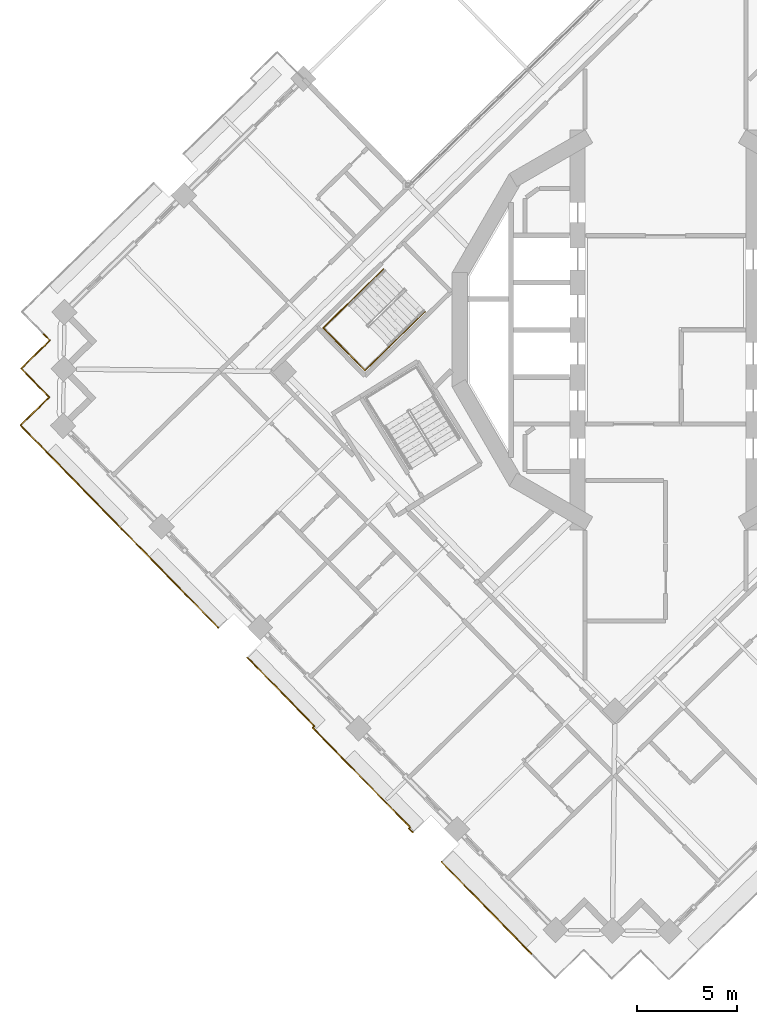
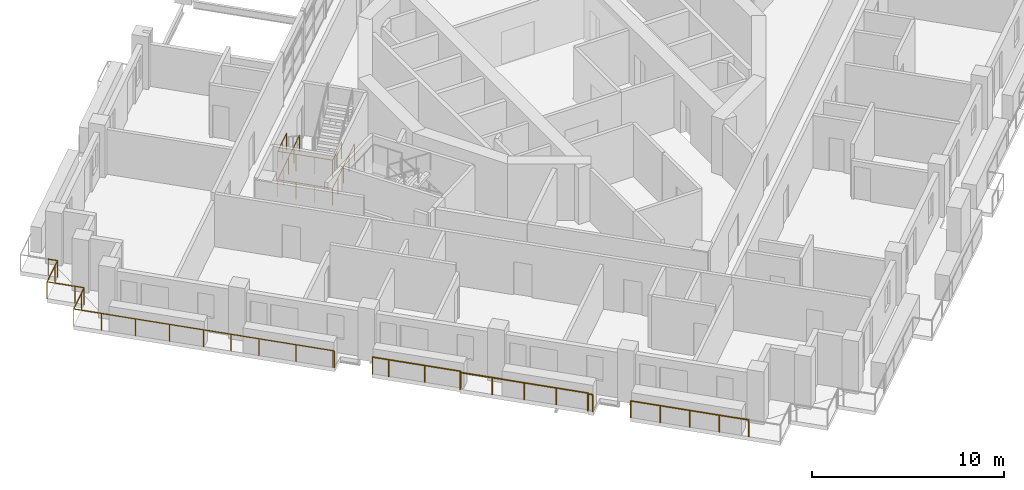
# One storey, part 14 of 19: 5 railings.
"""IFC4 building model written with IfcOpenShell, lengths in metres."""

from ifc_helpers import new_model, si_unit, direction, frame, origin, origin_2d, place, context, subcontext, project, spatial, circle, extrude, material, type_object, element, save


model = new_model("IFC4")

# Units and contexts
model_context = context("Model", 3, precision=1e-05, world=origin(), true_north=direction((0.0, 1.0)))
body_context = subcontext(model_context, "Body", "Model", "MODEL_VIEW")
ifc_project = project(units=[si_unit("LENGTHUNIT", "METRE"), si_unit("AREAUNIT", "SQUARE_METRE"), si_unit("VOLUMEUNIT", "CUBIC_METRE"), si_unit("PLANEANGLEUNIT", "RADIAN"), si_unit("MASSUNIT", "GRAM", prefix="KILO")], contexts=[model_context])

# Site, building, storey
site_placement = place(None, origin())
site = spatial("IfcSite", under=ifc_project, at=site_placement, CompositionType="ELEMENT")
building_placement = place(site_placement, origin())
building = spatial("IfcBuilding", under=site, at=building_placement, Name="Cantera Rosa Tower", CompositionType="ELEMENT")
storey_placement = place(building_placement, frame((0.0, 0.0, 223.39990234375)))
storey = spatial("IfcBuildingStorey", under=building, at=storey_placement, Name="L48", CompositionType="ELEMENT", Elevation=223.39990234375)

# Railings
ifc_material_1 = material(Name="Stainless steel and laminated glass", Category="steel")
railing_type_1 = type_object("IfcRailingType", Name="GUARD 1100", PredefinedType="BALUSTRADE", material=ifc_material_1)
railing_1_placement = place(storey_placement, frame((-6.690673828125, -31.072265625, 0.0)))
element("IfcRailing", 1, at=railing_1_placement, inside=storey, type_object=railing_type_1, Name="GUARD L48-1", PredefinedType="BALUSTRADE", context=body_context, shape_type="SweptSolid", body=[
    extrude(circle(Radius=0.030029296875, at=origin_2d()), frame((0.0, 0.0, 1.070068359375), z_axis=(-0.698825008445, 0.715292672668, 0.0), x_axis=(-0.715292672668, -0.698825008445, 0.0)), (0.0, 0.0, 1.0), 6.389892578125),
    extrude(circle(Radius=0.02490234375, at=origin_2d()), origin(), (0.0, 0.0, 1.0), 1.0400390625),
    extrude(circle(Radius=0.02490234375, at=origin_2d()), frame((-1.1162109375, 1.142578125, 0.0)), (0.0, 0.0, 1.0), 1.0400390625),
    extrude(circle(Radius=0.02490234375, at=origin_2d()), frame((-2.232666015625, 2.28515625, 0.0)), (0.0, 0.0, 1.0), 1.0400390625),
    extrude(circle(Radius=0.02490234375, at=origin_2d()), frame((-3.34912109375, 3.427978515625, 0.0)), (0.0, 0.0, 1.0), 1.0400390625),
    extrude(circle(Radius=0.02490234375, at=origin_2d()), frame((-4.46533203125, 4.570556640625, 0.0)), (0.0, 0.0, 1.0), 1.0400390625),
])
railing_2_placement = place(storey_placement, frame((-12.595703125, -25.028076171875, 0.0)))
element("IfcRailing", 2, at=railing_2_placement, inside=storey, type_object=railing_type_1, Name="GUARD L48-3", PredefinedType="BALUSTRADE", context=body_context, shape_type="SweptSolid", body=[
    extrude(circle(Radius=0.030029296875, at=origin_2d()), frame((0.0, 0.0, 1.070068359375), z_axis=(-0.698922436913, 0.715197474254, 0.0), x_axis=(-0.715197474254, -0.698922436913, 0.0)), (0.0, 0.0, 1.0), 0.27001953125),
    extrude(circle(Radius=0.030029296875, at=origin_2d()), frame((-0.188720703125, 0.193115234375, 1.070068359375), z_axis=(0.715817567127, 0.698287340994, 0.0), x_axis=(-0.698287340994, 0.715817567127, 0.0)), (0.0, 0.0, 1.0), 0.08349609375),
    extrude(circle(Radius=0.030029296875, at=origin_2d()), frame((-0.12890625, 0.25146484375, 1.070068359375), z_axis=(-0.698822463092, 0.715295159412, 0.0), x_axis=(-0.715295159412, -0.698822463092, 0.0)), (0.0, 0.0, 1.0), 6.936279296875),
    extrude(circle(Radius=0.030029296875, at=origin_2d()), frame((-4.97607421875, 5.212890625, 1.070068359375), z_axis=(0.715449344279, 0.698664608929, 0.0), x_axis=(-0.698664608929, 0.715449344279, 0.0)), (0.0, 0.0, 1.0), 0.116455078125),
    extrude(circle(Radius=0.030029296875, at=origin_2d()), frame((-4.892822265625, 5.294189453125, 1.070068359375), z_axis=(-0.698866787925, 0.715251852662, 0.0), x_axis=(-0.715251852662, -0.698866787925, 0.0)), (0.0, 0.0, 1.0), 3.90380859375),
    extrude(circle(Radius=0.030029296875, at=origin_2d()), frame((-7.62109375, 8.08642578125, 1.070068359375), z_axis=(-0.698779602308, 0.715337030636, 0.0), x_axis=(-0.715337030636, -0.698779602308, 0.0)), (0.0, 0.0, 1.0), 0.869873046875),
    extrude(circle(Radius=0.02490234375, at=origin_2d()), origin(), (0.0, 0.0, 1.0), 1.0400390625),
    extrude(circle(Radius=0.02490234375, at=origin_2d()), frame((-0.188720703125, 0.193115234375, 0.0)), (0.0, 0.0, 1.0), 1.0400390625),
    extrude(circle(Radius=0.02490234375, at=origin_2d()), frame((-0.12890625, 0.25146484375, 0.0)), (0.0, 0.0, 1.0), 1.0400390625),
    extrude(circle(Radius=0.02490234375, at=origin_2d()), frame((-1.3408203125, 1.49169921875, 0.0)), (0.0, 0.0, 1.0), 1.0400390625),
    extrude(circle(Radius=0.02490234375, at=origin_2d()), frame((-2.552490234375, 2.732177734375, 0.0)), (0.0, 0.0, 1.0), 1.0400390625),
    extrude(circle(Radius=0.02490234375, at=origin_2d()), frame((-3.76416015625, 3.97265625, 0.0)), (0.0, 0.0, 1.0), 1.0400390625),
    extrude(circle(Radius=0.02490234375, at=origin_2d()), frame((-4.97607421875, 5.212890625, 0.0)), (0.0, 0.0, 1.0), 1.0400390625),
    extrude(circle(Radius=0.02490234375, at=origin_2d()), frame((-4.892822265625, 5.294189453125, 0.0)), (0.0, 0.0, 1.0), 1.0400390625),
    extrude(circle(Radius=0.02490234375, at=origin_2d()), frame((-6.2568359375, 6.6904296875, 0.0)), (0.0, 0.0, 1.0), 1.0400390625),
    extrude(circle(Radius=0.02490234375, at=origin_2d()), frame((-7.62109375, 8.08642578125, 0.0)), (0.0, 0.0, 1.0), 1.0400390625),
    extrude(circle(Radius=0.02490234375, at=origin_2d()), frame((-8.22900390625, 8.708740234375, 0.0)), (0.0, 0.0, 1.0), 1.0400390625),
])
railing_3_placement = place(storey_placement, frame((-22.26416015625, -14.845703125, 0.0)))
element("IfcRailing", 3, at=railing_3_placement, inside=storey, type_object=railing_type_1, Name="GUARD L48-5", PredefinedType="BALUSTRADE", context=body_context, shape_type="SweptSolid", body=[
    extrude(circle(Radius=0.030029296875, at=origin_2d()), frame((0.0, 0.0, 1.070068359375), z_axis=(-0.700106234421, 0.714038696798, 0.0), x_axis=(-0.714038696798, -0.700106234421, 0.0)), (0.0, 0.0, 1.0), 0.070068359375),
    extrude(circle(Radius=0.030029296875, at=origin_2d()), frame((-0.049072265625, 0.050048828125, 1.070068359375), z_axis=(-0.698829866575, 0.715287926351, 0.0), x_axis=(-0.715287926351, -0.698829866575, 0.0)), (0.0, 0.0, 1.0), 4.02001953125),
    extrude(circle(Radius=0.030029296875, at=origin_2d()), frame((-2.8583984375, 2.925537109375, 1.070068359375), z_axis=(-0.698839281014, 0.715278728407, 0.0), x_axis=(-0.715278728407, -0.698839281014, 0.0)), (0.0, 0.0, 1.0), 3.0),
    extrude(circle(Radius=0.030029296875, at=origin_2d()), frame((-4.954833984375, 5.0712890625, 1.070068359375), z_axis=(-0.698810055914, 0.715307280652, 0.0), x_axis=(-0.715307280652, -0.698810055914, 0.0)), (0.0, 0.0, 1.0), 5.52001953125),
    extrude(circle(Radius=0.030029296875, at=origin_2d()), frame((-8.812255859375, 9.019775390625, 1.070068359375), z_axis=(-0.698921594874, 0.71519829713, 0.0), x_axis=(-0.71519829713, -0.698921594874, 0.0)), (0.0, 0.0, 1.0), 1.5),
    extrude(circle(Radius=0.030029296875, at=origin_2d()), frame((-9.860595703125, 10.092529296875, 1.070068359375), z_axis=(0.715277793538, 0.698840237873, 0.0), x_axis=(-0.698840237873, 0.715277793538, 0.0)), (0.0, 0.0, 1.0), 1.5),
    extrude(circle(Radius=0.030029296875, at=origin_2d()), frame((-8.78759765625, 11.140869140625, 1.070068359375), z_axis=(0.715359149995, 0.698756958118, 0.0), x_axis=(-0.698756958118, 0.715359149995, 0.0)), (0.0, 0.0, 1.0), 0.5),
    extrude(circle(Radius=0.030029296875, at=origin_2d()), frame((-8.429931640625, 11.490234375, 1.070068359375), z_axis=(-0.699006712162, 0.715115107065, 0.0), x_axis=(-0.715115107065, -0.699006712162, 0.0)), (0.0, 0.0, 1.0), 0.500244140625),
    extrude(circle(Radius=0.030029296875, at=origin_2d()), frame((-8.779541015625, 11.847900390625, 1.070068359375), z_axis=(-0.698756958118, 0.715359149995, 0.0), x_axis=(-0.715359149995, -0.698756958118, 0.0)), (0.0, 0.0, 1.0), 1.5),
    extrude(circle(Radius=0.030029296875, at=origin_2d()), frame((-9.82763671875, 12.9208984375, 1.070068359375), z_axis=(0.71519829713, 0.698921594874, 0.0), x_axis=(-0.698921594874, 0.71519829713, 0.0)), (0.0, 0.0, 1.0), 1.5),
    extrude(circle(Radius=0.030029296875, at=origin_2d()), frame((-8.7548828125, 13.96923828125, 1.070068359375), z_axis=(0.715359149995, 0.698756958118, 0.0), x_axis=(-0.698756958118, 0.715359149995, 0.0)), (0.0, 0.0, 1.0), 0.5),
    extrude(circle(Radius=0.030029296875, at=origin_2d()), frame((-8.397216796875, 14.318603515625, 1.070068359375), z_axis=(-0.698756958118, 0.715359149995, 0.0), x_axis=(-0.715359149995, -0.698756958118, 0.0)), (0.0, 0.0, 1.0), 0.5),
    extrude(circle(Radius=0.02490234375, at=origin_2d()), origin(), (0.0, 0.0, 1.0), 1.0400390625),
    extrude(circle(Radius=0.02490234375, at=origin_2d()), frame((-0.049072265625, 0.050048828125, 0.0)), (0.0, 0.0, 1.0), 1.0400390625),
    extrude(circle(Radius=0.02490234375, at=origin_2d()), frame((-1.45361328125, 1.48779296875, 0.0)), (0.0, 0.0, 1.0), 1.0400390625),
    extrude(circle(Radius=0.02490234375, at=origin_2d()), frame((-2.8583984375, 2.925537109375, 0.0)), (0.0, 0.0, 1.0), 1.0400390625),
    extrude(circle(Radius=0.02490234375, at=origin_2d()), frame((-3.90673828125, 3.99853515625, 0.0)), (0.0, 0.0, 1.0), 1.0400390625),
    extrude(circle(Radius=0.02490234375, at=origin_2d()), frame((-4.954833984375, 5.0712890625, 0.0)), (0.0, 0.0, 1.0), 1.0400390625),
    extrude(circle(Radius=0.02490234375, at=origin_2d()), frame((-6.24072265625, 6.387451171875, 0.0)), (0.0, 0.0, 1.0), 1.0400390625),
    extrude(circle(Radius=0.02490234375, at=origin_2d()), frame((-7.5263671875, 7.70361328125, 0.0)), (0.0, 0.0, 1.0), 1.0400390625),
    extrude(circle(Radius=0.02490234375, at=origin_2d()), frame((-8.812255859375, 9.019775390625, 0.0)), (0.0, 0.0, 1.0), 1.0400390625),
    extrude(circle(Radius=0.02490234375, at=origin_2d()), frame((-9.860595703125, 10.092529296875, 0.0)), (0.0, 0.0, 1.0), 1.0400390625),
    extrude(circle(Radius=0.02490234375, at=origin_2d()), frame((-8.78759765625, 11.140869140625, 0.0)), (0.0, 0.0, 1.0), 1.0400390625),
    extrude(circle(Radius=0.02490234375, at=origin_2d()), frame((-8.429931640625, 11.490234375, 0.0)), (0.0, 0.0, 1.0), 1.0400390625),
    extrude(circle(Radius=0.02490234375, at=origin_2d()), frame((-8.779541015625, 11.847900390625, 0.0)), (0.0, 0.0, 1.0), 1.0400390625),
    extrude(circle(Radius=0.02490234375, at=origin_2d()), frame((-9.82763671875, 12.9208984375, 0.0)), (0.0, 0.0, 1.0), 1.0400390625),
    extrude(circle(Radius=0.02490234375, at=origin_2d()), frame((-8.7548828125, 13.96923828125, 0.0)), (0.0, 0.0, 1.0), 1.0400390625),
    extrude(circle(Radius=0.02490234375, at=origin_2d()), frame((-8.397216796875, 14.318603515625, 0.0)), (0.0, 0.0, 1.0), 1.0400390625),
    extrude(circle(Radius=0.02490234375, at=origin_2d()), frame((-8.74658203125, 14.67626953125, 0.0)), (0.0, 0.0, 1.0), 1.0400390625),
])
ifc_material_2 = material(Name="Steel S355J2 (EN 10025-2)", Category="steel")
railing_type_2 = type_object("IfcRailingType", Name="STAIR GUARD 1100", PredefinedType="GUARDRAIL", material=ifc_material_2)
railing_4_placement = place(storey_placement, frame((-14.044921875, 3.0322265625, 0.0)))
element("IfcRailing", 4, at=railing_4_placement, inside=storey, type_object=railing_type_2, Name="L48 ST-43 stair guard 4", PredefinedType="GUARDRAIL", context=body_context, shape_type="SweptSolid", body=[
    extrude(circle(Radius=0.02392578125, at=origin_2d()), frame((0.0, 0.0, 1.076171875), z_axis=(-0.715259213566, -0.698859254364, 0.0), x_axis=(0.698859254364, -0.715259213566, 0.0)), (0.0, 0.0, 1.0), 4.197998046875),
    extrude(circle(Radius=0.02392578125, at=origin_2d()), frame((-3.002685546875, -2.933837890625, 1.076171875), z_axis=(0.698838333505, -0.715279654138, 0.0), x_axis=(0.715279654138, 0.698838333505, 0.0)), (0.0, 0.0, 1.0), 2.9697265625),
    extrude(circle(Radius=0.02392578125, at=origin_2d()), frame((-0.92724609375, -5.05810546875, 1.076171875), z_axis=(0.715288284249, 0.698829500247, 0.0), x_axis=(-0.698829500247, 0.715288284249, 0.0)), (0.0, 0.0, 1.0), 4.19775390625),
    extrude(circle(Radius=0.02099609375, at=origin_2d()), origin(), (0.0, 0.0, 1.0), 1.052001953125),
    extrude(circle(Radius=0.02099609375, at=origin_2d()), frame((-0.750732421875, -0.7333984375, 0.0)), (0.0, 0.0, 1.0), 1.052001953125),
    extrude(circle(Radius=0.02099609375, at=origin_2d()), frame((-1.50146484375, -1.466796875, 0.0)), (0.0, 0.0, 1.0), 1.052001953125),
    extrude(circle(Radius=0.02099609375, at=origin_2d()), frame((-2.251953125, -2.200439453125, 0.0)), (0.0, 0.0, 1.0), 1.052001953125),
    extrude(circle(Radius=0.02099609375, at=origin_2d()), frame((-3.002685546875, -2.933837890625, 0.0)), (0.0, 0.0, 1.0), 1.052001953125),
    extrude(circle(Radius=0.02099609375, at=origin_2d()), frame((-2.310791015625, -3.641845703125, 0.0)), (0.0, 0.0, 1.0), 1.052001953125),
    extrude(circle(Radius=0.02099609375, at=origin_2d()), frame((-1.619140625, -4.35009765625, 0.0)), (0.0, 0.0, 1.0), 1.052001953125),
    extrude(circle(Radius=0.02099609375, at=origin_2d()), frame((-0.92724609375, -5.05810546875, 0.0)), (0.0, 0.0, 1.0), 1.052001953125),
    extrude(circle(Radius=0.02099609375, at=origin_2d()), frame((-0.176513671875, -4.32470703125, 0.0)), (0.0, 0.0, 1.0), 1.052001953125),
    extrude(circle(Radius=0.02099609375, at=origin_2d()), frame((0.57421875, -3.59130859375, 0.0)), (0.0, 0.0, 1.0), 1.052001953125),
    extrude(circle(Radius=0.02099609375, at=origin_2d()), frame((1.32470703125, -2.85791015625, 0.0)), (0.0, 0.0, 1.0), 1.052001953125),
    extrude(circle(Radius=0.02099609375, at=origin_2d()), frame((2.075439453125, -2.12451171875, 0.0)), (0.0, 0.0, 1.0), 1.052001953125),
])
railing_5_placement = place(storey_placement, frame((-15.830322265625, 1.287841796875, 1.800048828125)))
element("IfcRailing", 5, at=railing_5_placement, inside=storey, type_object=railing_type_2, Name="L48 ST-43 stair guard 5", PredefinedType="GUARDRAIL", context=body_context, shape_type="SweptSolid", body=[
    extrude(circle(Radius=0.02392578125, at=origin_2d()), frame((0.0, 0.0, 1.076171875), z_axis=(-0.715236090757, -0.698882919007, 0.0), x_axis=(0.698882919007, -0.715236090757, 0.0)), (0.0, 0.0, 1.0), 1.701904296875),
    extrude(circle(Radius=0.02392578125, at=origin_2d()), frame((-1.21728515625, -1.189453125, 1.076171875), z_axis=(0.698838333505, -0.715279654138, 0.0), x_axis=(0.715279654138, 0.698838333505, 0.0)), (0.0, 0.0, 1.0), 2.9697265625),
    extrude(circle(Radius=0.02392578125, at=origin_2d()), frame((0.858154296875, -3.313720703125, 1.076171875), z_axis=(0.715236090757, 0.698882919007, 0.0), x_axis=(-0.698882919007, 0.715236090757, 0.0)), (0.0, 0.0, 1.0), 1.701904296875),
    extrude(circle(Radius=0.02099609375, at=origin_2d()), origin(), (0.0, 0.0, 1.0), 1.052001953125),
    extrude(circle(Radius=0.02099609375, at=origin_2d()), frame((-0.608642578125, -0.5947265625, 0.0)), (0.0, 0.0, 1.0), 1.052001953125),
    extrude(circle(Radius=0.02099609375, at=origin_2d()), frame((-1.21728515625, -1.189453125, 0.0)), (0.0, 0.0, 1.0), 1.052001953125),
    extrude(circle(Radius=0.02099609375, at=origin_2d()), frame((-0.525390625, -1.8974609375, 0.0)), (0.0, 0.0, 1.0), 1.052001953125),
    extrude(circle(Radius=0.02099609375, at=origin_2d()), frame((0.166259765625, -2.605712890625, 0.0)), (0.0, 0.0, 1.0), 1.052001953125),
    extrude(circle(Radius=0.02099609375, at=origin_2d()), frame((0.858154296875, -3.313720703125, 0.0)), (0.0, 0.0, 1.0), 1.052001953125),
    extrude(circle(Radius=0.02099609375, at=origin_2d()), frame((1.466796875, -2.718994140625, 0.0)), (0.0, 0.0, 1.0), 1.052001953125),
    extrude(circle(Radius=0.02099609375, at=origin_2d()), frame((2.075439453125, -2.124267578125, 0.0)), (0.0, 0.0, 1.0), 1.052001953125),
])

save(model, "model.ifc")
